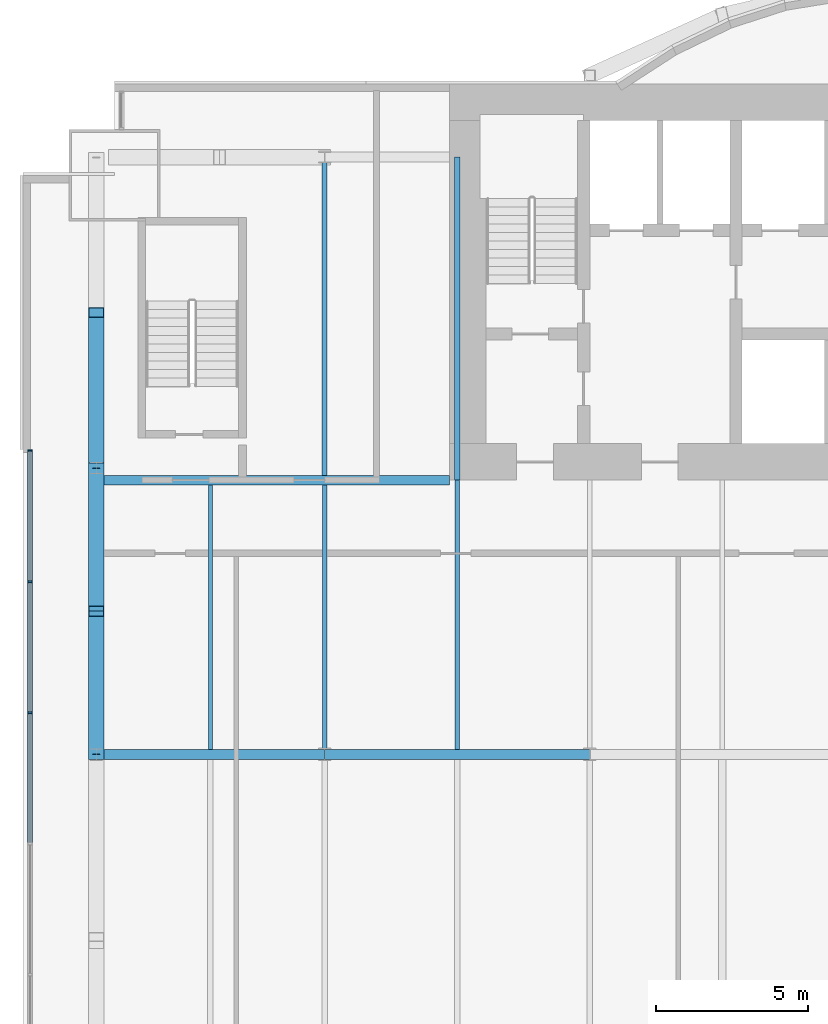
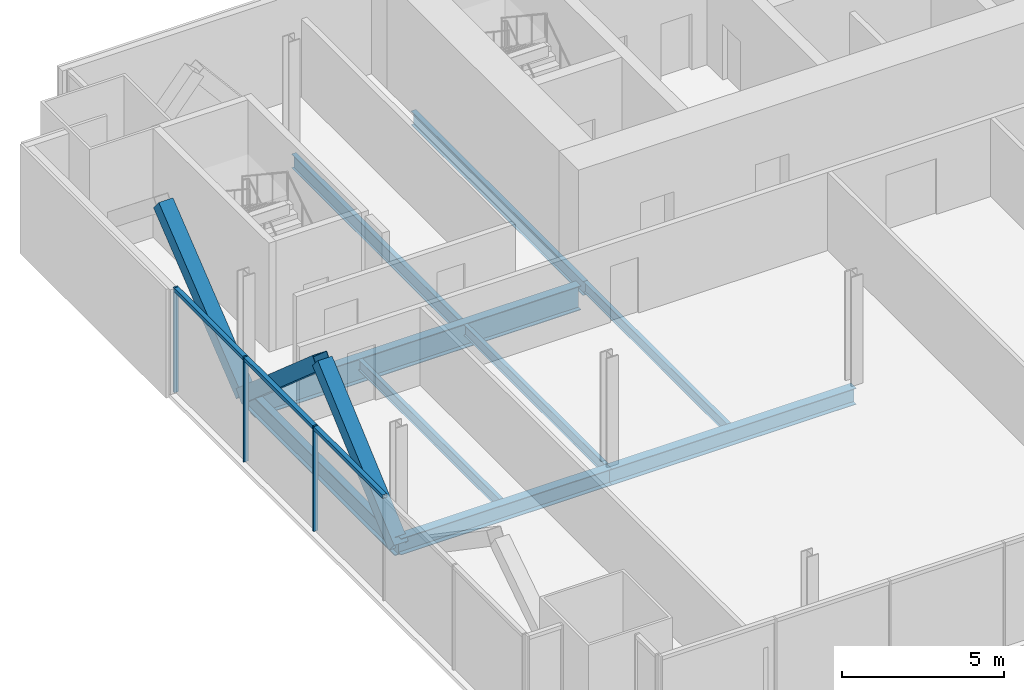
# One storey, part 6 of 21: 9 beams, 9 members, 1 element without a shape of its own.
"""IFC4 building model written with IfcOpenShell, lengths in metres."""

from ifc_helpers import new_model, si_unit, direction, frame, origin, origin_2d, place, context, subcontext, project, spatial, rectangle, hollow_rectangle, i_section, extrude, material, material_profile, profile_set, type_object, element, aggregate, save


model = new_model("IFC4")

# Units and contexts
model_context = context("Model", 3, precision=1e-05, world=origin(), true_north=direction((0.0, 1.0)))
body_context = subcontext(model_context, "Body", "Model", "MODEL_VIEW")
ifc_project = project(units=[si_unit("LENGTHUNIT", "METRE"), si_unit("AREAUNIT", "SQUARE_METRE"), si_unit("VOLUMEUNIT", "CUBIC_METRE"), si_unit("PLANEANGLEUNIT", "RADIAN"), si_unit("MASSUNIT", "GRAM", prefix="KILO")], contexts=[model_context])

# Site, building, storey
site_placement = place(None, origin())
site = spatial("IfcSite", under=ifc_project, at=site_placement, CompositionType="ELEMENT")
building_placement = place(site_placement, origin())
building = spatial("IfcBuilding", under=site, at=building_placement, Name="Bicima Exchange Tower", CompositionType="ELEMENT")
storey_placement = place(building_placement, frame((0.0, 0.0, 126.800048828125)))
storey = spatial("IfcBuildingStorey", under=building, at=storey_placement, Name="L27", CompositionType="ELEMENT", Elevation=126.800048828125)

# Beam
ifc_material_1 = material(Name="Steel ASTM A992 Gr 50", Category="steel")
ifc_material_profile_1 = material_profile(ifc_material_1, i_section(OverallWidth=0.3046875, OverallDepth=0.911865234375, WebThickness=0.015869140625, FlangeThickness=0.02392578125, at=origin_2d()))
ifc_profile_set_1 = profile_set([ifc_material_profile_1], Name="Steel ASTM A992 Gr 50")
beam_type_1 = type_object("IfcBeamType", Name="Core-line girder W36x150", PredefinedType="BEAM", material=ifc_profile_set_1)
beam_1_placement = place(storey_placement, frame((-22.0, -13.0, -0.60595703125), z_axis=(-1.0, 0.0, 0.0), x_axis=(0.0, -1.0, 0.0)))
element("IfcBeam", 1, at=beam_1_placement, inside=storey, type_object=beam_type_1, Name="Core-line girder", PredefinedType="BEAM", context=body_context, shape_type="SweptSolid", body=[
    extrude(i_section(OverallWidth=0.3046875, OverallDepth=0.911865234375, WebThickness=0.015869140625, FlangeThickness=0.02392578125, at=origin_2d()), origin(), (0.0, 0.0, 1.0), 11.60009765625),
])

# Curtain wall, members
ifc_material_2 = material(Name="Anodised bronze aluminium", Category="aluminium")
curtain_wall_type = type_object("IfcCurtainWallType", Name="End face glass wall", PredefinedType="NOTDEFINED", material=ifc_material_2)
curtain_wall_placement = place(storey_placement, origin())
curtain_wall = element("IfcCurtainWall", 2, at=curtain_wall_placement, inside=storey, type_object=curtain_wall_type, Name="End face glass wall L27 run 2", PredefinedType="NOTDEFINED")
ifc_material_profile_2 = material_profile(ifc_material_2, rectangle(XDim=0.159912109375, YDim=0.06005859375, at=origin_2d()))
ifc_profile_set_2 = profile_set([ifc_material_profile_2], Name="Anodised bronze aluminium")
member_type_1 = type_object("IfcMemberType", Name="End face glass wall mullion 60 x 160", PredefinedType="MULLION", material=ifc_profile_set_2)
member_1_placement = place(storey_placement, frame((-35.77001953125, -12.030029296875, 0.0), z_axis=(0.0, 0.0, 1.0), x_axis=(1.0, 0.0, 0.0)))
member_1 = element("IfcMember", 3, at=member_1_placement, type_object=member_type_1, Name="End face glass wall mullion 1", PredefinedType="MULLION", context=body_context, shape_type="SweptSolid", body=[
    extrude(rectangle(XDim=0.159912109375, YDim=0.06005859375, at=origin_2d()), origin(), (0.0, 0.0, 1.0), 3.949951171875),
])
member_2_placement = place(storey_placement, frame((-35.77001953125, -16.331298828125, 0.0), z_axis=(0.0, 0.0, 1.0), x_axis=(1.0, 0.0, 0.0)))
member_2 = element("IfcMember", 4, at=member_2_placement, type_object=member_type_1, Name="End face glass wall mullion 2", PredefinedType="MULLION", context=body_context, shape_type="SweptSolid", body=[
    extrude(rectangle(XDim=0.159912109375, YDim=0.06005859375, at=origin_2d()), origin(), (0.0, 0.0, 1.0), 3.949951171875),
])
member_3_placement = place(storey_placement, frame((-35.77001953125, -20.63232421875, 0.0), z_axis=(0.0, 0.0, 1.0), x_axis=(1.0, 0.0, 0.0)))
member_3 = element("IfcMember", 5, at=member_3_placement, type_object=member_type_1, Name="End face glass wall mullion 3", PredefinedType="MULLION", context=body_context, shape_type="SweptSolid", body=[
    extrude(rectangle(XDim=0.159912109375, YDim=0.06005859375, at=origin_2d()), origin(), (0.0, 0.0, 1.0), 3.949951171875),
])
ifc_material_profile_3 = material_profile(ifc_material_2, rectangle(XDim=0.159912109375, YDim=0.139892578125, at=origin_2d()))
ifc_profile_set_3 = profile_set([ifc_material_profile_3], Name="Anodised bronze aluminium")
member_type_2 = type_object("IfcMemberType", Name="End face glass wall transom 140 x 160", PredefinedType="USERDEFINED", material=ifc_profile_set_3)
member_4_placement = place(storey_placement, frame((-35.77001953125, -12.06005859375, 3.8798828125), z_axis=(0.0, -1.0, 0.0), x_axis=(1.0, 0.0, 0.0)))
member_4 = element("IfcMember", 6, at=member_4_placement, type_object=member_type_2, Name="End face glass wall transom 1.1", ObjectType="TRANSOM", PredefinedType="USERDEFINED", context=body_context, shape_type="SweptSolid", body=[
    extrude(rectangle(XDim=0.159912109375, YDim=0.139892578125, at=origin_2d()), origin(), (0.0, 0.0, 1.0), 4.2412109375),
])
member_5_placement = place(storey_placement, frame((-35.77001953125, -16.361083984375, 3.8798828125), z_axis=(0.0, -1.0, 0.0), x_axis=(1.0, 0.0, 0.0)))
member_5 = element("IfcMember", 7, at=member_5_placement, type_object=member_type_2, Name="End face glass wall transom 2.1", ObjectType="TRANSOM", PredefinedType="USERDEFINED", context=body_context, shape_type="SweptSolid", body=[
    extrude(rectangle(XDim=0.159912109375, YDim=0.139892578125, at=origin_2d()), origin(), (0.0, 0.0, 1.0), 4.2412109375),
])
member_6_placement = place(storey_placement, frame((-35.77001953125, -20.662353515625, 3.8798828125), z_axis=(0.0, -1.0, 0.0), x_axis=(1.0, 0.0, 0.0)))
member_6 = element("IfcMember", 8, at=member_6_placement, type_object=member_type_2, Name="End face glass wall transom 3.1", ObjectType="TRANSOM", PredefinedType="USERDEFINED", context=body_context, shape_type="SweptSolid", body=[
    extrude(rectangle(XDim=0.159912109375, YDim=0.139892578125, at=origin_2d()), origin(), (0.0, 0.0, 1.0), 4.2412109375),
])
aggregate(curtain_wall, [member_1, member_2, member_3, member_4, member_5, member_6])

# Beams
ifc_material_profile_4 = material_profile(ifc_material_1, i_section(OverallWidth=0.256591796875, OverallDepth=0.693359375, WebThickness=0.014404296875, FlangeThickness=0.023681640625, at=origin_2d()))
ifc_profile_set_4 = profile_set([ifc_material_profile_4], Name="Steel ASTM A992 Gr 50")
beam_type_2 = type_object("IfcBeamType", Name="End girder W27x114", PredefinedType="BEAM", material=ifc_profile_set_4)
beam_2_placement = place(storey_placement, frame((-33.60009765625, -12.60009765625, -0.496826171875), z_axis=(0.0, -1.0, 0.0), x_axis=(1.0, 0.0, 0.0)))
element("IfcBeam", 9, at=beam_2_placement, inside=storey, type_object=beam_type_2, Name="End girder", PredefinedType="BEAM", context=body_context, shape_type="SweptSolid", body=[
    extrude(i_section(OverallWidth=0.256591796875, OverallDepth=0.693359375, WebThickness=0.014404296875, FlangeThickness=0.023681640625, at=origin_2d()), origin(), (0.0, 0.0, 1.0), 9.39990234375),
])
ifc_material_profile_5 = material_profile(ifc_material_1, i_section(OverallWidth=0.140380859375, OverallDepth=0.40380859375, WebThickness=0.007080078125, FlangeThickness=0.01123046875, at=origin_2d()))
ifc_profile_set_5 = profile_set([ifc_material_profile_5], Name="Steel ASTM A992 Gr 50")
beam_type_3 = type_object("IfcBeamType", Name="Floor beam W16x31", PredefinedType="JOIST", material=ifc_profile_set_5)
for number, where, z_axis, x_axis, name in (
    (10, (-29.85009765625, -13.15234375, -0.35205078125), (0.0, -1.0, 0.0), (1.0, 0.0, 0.0), "Floor beam"),
    (11, (-26.10009765625, -13.15234375, -0.35205078125), (0.0, -1.0, 0.0), (1.0, 0.0, 0.0), "Floor beam"),
):
    element("IfcBeam", number, at=place(storey_placement, frame(where, z_axis=z_axis, x_axis=x_axis)), inside=storey, type_object=beam_type_3, Name=name, PredefinedType="JOIST", context=body_context, shape_type="SweptSolid", body=[
        extrude(i_section(OverallWidth=0.140380859375, OverallDepth=0.40380859375, WebThickness=0.007080078125, FlangeThickness=0.01123046875, at=origin_2d()), origin(), (0.0, 0.0, 1.0), 8.68505859375),
    ])
beam_3_placement = place(storey_placement, frame((-21.75, -13.0, -0.35205078125), z_axis=(0.0, -1.0, 0.0), x_axis=(1.0, 0.0, 0.0)))
element("IfcBeam", 12, at=beam_3_placement, inside=storey, type_object=beam_type_3, Name="Floor beam", PredefinedType="JOIST", context=body_context, shape_type="SweptSolid", body=[
    extrude(i_section(OverallWidth=0.140380859375, OverallDepth=0.40380859375, WebThickness=0.007080078125, FlangeThickness=0.01123046875, at=origin_2d()), origin(), (0.0, 0.0, 1.0), 8.83740234375),
])
ifc_material_profile_6 = material_profile(ifc_material_1, i_section(OverallWidth=0.165771484375, OverallDepth=0.5283203125, WebThickness=0.009765625, FlangeThickness=0.013671875, at=origin_2d()))
ifc_profile_set_6 = profile_set([ifc_material_profile_6], Name="Steel ASTM A992 Gr 50")
beam_type_4 = type_object("IfcBeamType", Name="Floor beam W21x50", PredefinedType="JOIST", material=ifc_profile_set_6)
beam_4_placement = place(storey_placement, frame((-26.10009765625, -2.5625, -0.414306640625), z_axis=(0.0, -1.0, 0.0), x_axis=(1.0, 0.0, 0.0)))
element("IfcBeam", 13, at=beam_4_placement, inside=storey, type_object=beam_type_4, Name="Floor beam", PredefinedType="JOIST", context=body_context, shape_type="SweptSolid", body=[
    extrude(i_section(OverallWidth=0.165771484375, OverallDepth=0.5283203125, WebThickness=0.009765625, FlangeThickness=0.013671875, at=origin_2d()), origin(), (0.0, 0.0, 1.0), 10.28515625),
])
beam_5_placement = place(storey_placement, frame((-21.75, -2.39990234375, -0.414306640625), z_axis=(0.0, -1.0, 0.0), x_axis=(1.0, 0.0, 0.0)))
element("IfcBeam", 14, at=beam_5_placement, inside=storey, type_object=beam_type_4, Name="Floor beam", PredefinedType="JOIST", context=body_context, shape_type="SweptSolid", body=[
    extrude(i_section(OverallWidth=0.165771484375, OverallDepth=0.5283203125, WebThickness=0.009765625, FlangeThickness=0.013671875, at=origin_2d()), origin(), (0.0, 0.0, 1.0), 10.60009765625),
])

# Members
ifc_material_3 = material(Name="Steel ASTM A572 Gr 50", Category="steel")
ifc_material_profile_7 = material_profile(ifc_material_3, hollow_rectangle(XDim=0.508056640625, YDim=0.508056640625, WallThickness=0.0146484375, at=origin_2d()))
ifc_profile_set_7 = profile_set([ifc_material_profile_7], Name="Steel ASTM A572 Gr 50")
member_type_3 = type_object("IfcMemberType", Name="Mega brace HSS20x20x5/8", PredefinedType="BRACE", material=ifc_profile_set_7)
member_7_placement = place(storey_placement, frame((-33.60009765625, -12.60009765625, -0.496826171875), z_axis=(0.0, 0.779374241895, 0.626558689247), x_axis=(-1.0, 0.0, 0.0)))
element("IfcMember", 15, at=member_7_placement, inside=storey, type_object=member_type_3, Name="Mega brace west end", PredefinedType="BRACE", context=body_context, shape_type="SweptSolid", body=[
    extrude(hollow_rectangle(XDim=0.508056640625, YDim=0.508056640625, WallThickness=0.0146484375, at=origin_2d()), origin(), (0.0, 0.0, 1.0), 6.5439453125),
])
for number, where, z_axis, x_axis, name in (
    (16, (-33.60009765625, -12.60009765625, -0.496826171875), (0.0, -0.753557917662, 0.657381521439), (1.0, 0.0, 0.0), "Mega brace west end"),
    (17, (-33.60009765625, -22.0, -0.496826171875), (0.0, 0.753557917662, 0.657381521439), (-1.0, 0.0, 0.0), "Mega brace west end"),
):
    element("IfcMember", number, at=place(storey_placement, frame(where, z_axis=z_axis, x_axis=x_axis)), inside=storey, type_object=member_type_3, Name=name, PredefinedType="BRACE", context=body_context, shape_type="SweptSolid", body=[
        extrude(hollow_rectangle(XDim=0.508056640625, YDim=0.508056640625, WallThickness=0.0146484375, at=origin_2d()), origin(), (0.0, 0.0, 1.0), 6.237060546875),
    ])

# Beams
ifc_material_profile_8 = material_profile(ifc_material_1, i_section(OverallWidth=0.3251953125, OverallDepth=0.612060546875, WebThickness=0.0126953125, FlangeThickness=0.01904296875, at=origin_2d()))
ifc_profile_set_8 = profile_set([ifc_material_profile_8], Name="Steel ASTM A992 Gr 50")
beam_type_5 = type_object("IfcBeamType", Name="Row girder W24x104", PredefinedType="BEAM", material=ifc_profile_set_8)
beam_6_placement = place(storey_placement, frame((-33.60009765625, -22.0, -0.4560546875), z_axis=(1.0, 0.0, 0.0), x_axis=(0.0, 1.0, 0.0)))
element("IfcBeam", 18, at=beam_6_placement, inside=storey, type_object=beam_type_5, Name="Row girder", PredefinedType="BEAM", context=body_context, shape_type="SweptSolid", body=[
    extrude(i_section(OverallWidth=0.3251953125, OverallDepth=0.612060546875, WebThickness=0.0126953125, FlangeThickness=0.01904296875, at=origin_2d()), origin(), (0.0, 0.0, 1.0), 7.5),
])
beam_7_placement = place(storey_placement, frame((-26.10009765625, -22.0, -0.4560546875), z_axis=(1.0, 0.0, 0.0), x_axis=(0.0, 1.0, 0.0)))
element("IfcBeam", 19, at=beam_7_placement, inside=storey, type_object=beam_type_5, Name="Row girder", PredefinedType="BEAM", context=body_context, shape_type="SweptSolid", body=[
    extrude(i_section(OverallWidth=0.3251953125, OverallDepth=0.612060546875, WebThickness=0.0126953125, FlangeThickness=0.01904296875, at=origin_2d()), origin(), (0.0, 0.0, 1.0), 8.7001953125),
])

save(model, "model.ifc")
